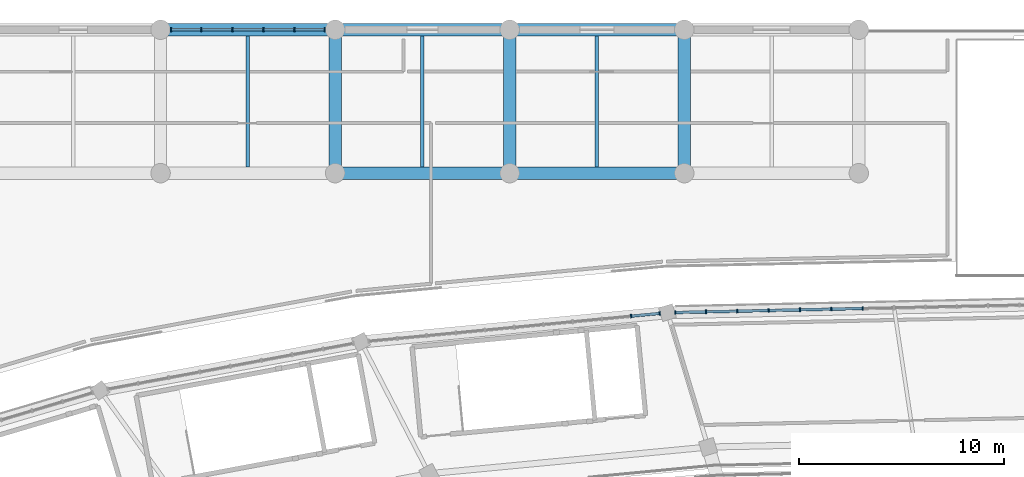
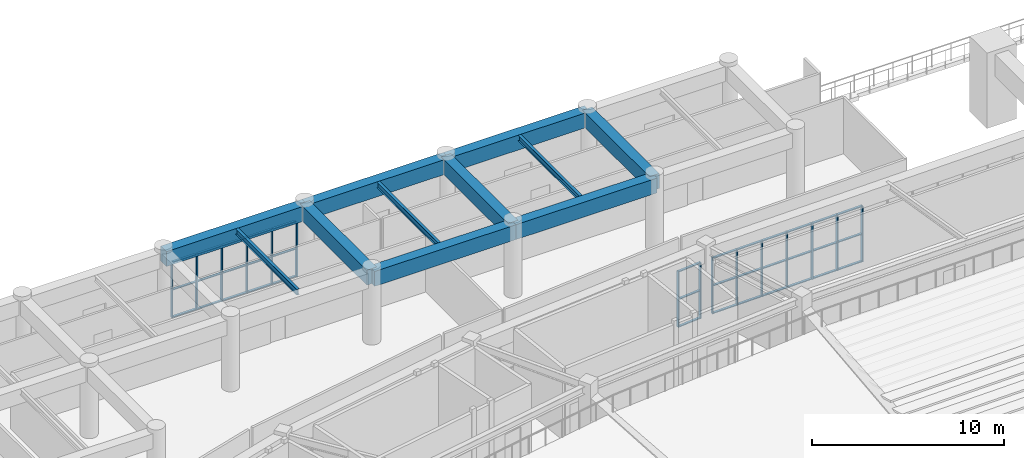
# One storey, part 61 of 137: 51 members, 11 beams, 3 elements without a shape of their own.
"""IFC4 building model written with IfcOpenShell, lengths in metres."""

from ifc_helpers import new_model, si_unit, direction, frame, origin, origin_2d, place, context, subcontext, project, spatial, rectangle, i_section, extrude, material, layer, layer_set, material_profile, profile_set, type_object, element, aggregate, save


model = new_model("IFC4")

# Units and contexts
model_context = context("Model", 3, precision=1e-05, world=origin(), true_north=direction((0.0, 1.0)))
body_context = subcontext(model_context, "Body", "Model", "MODEL_VIEW")
ifc_project = project(units=[si_unit("LENGTHUNIT", "METRE"), si_unit("AREAUNIT", "SQUARE_METRE"), si_unit("VOLUMEUNIT", "CUBIC_METRE"), si_unit("PLANEANGLEUNIT", "RADIAN"), si_unit("MASSUNIT", "GRAM", prefix="KILO")], contexts=[model_context])

# Site, building, storey
site_placement = place(None, origin())
site = spatial("IfcSite", under=ifc_project, at=site_placement, CompositionType="ELEMENT")
building_placement = place(site_placement, origin())
building = spatial("IfcBuilding", under=site, at=building_placement, Name="Mphavela Belvedere Stadium", CompositionType="ELEMENT")
storey_placement = place(building_placement, frame((0.0, 0.0, 19.199951171875)))
storey = spatial("IfcBuildingStorey", under=building, at=storey_placement, Name="L04", CompositionType="ELEMENT", Elevation=19.199951171875)

# Beams
ifc_material_1 = material(Name="Concrete C40/50", Category="concrete")
ifc_material_profile_1 = material_profile(ifc_material_1, rectangle(XDim=0.60009765625, YDim=0.949951171875, at=origin_2d()), Name="RC 600x950")
ifc_profile_set_1 = profile_set([ifc_material_profile_1], Name="Concrete C40/50")
beam_type_1 = type_object("IfcBeamType", Name="BM-ENTABLATURE-950", PredefinedType="SPANDREL", material=ifc_profile_set_1)
beam_1_placement = place(storey_placement, frame((68.14794921875, 174.0, 4.06494140625), z_axis=(1.0, 0.0, 0.0), x_axis=(0.0, 1.0, 0.0)))
element("IfcBeam", 1, at=beam_1_placement, inside=storey, type_object=beam_type_1, Name="North Mast and Ceremonial End Forecourt entablature beam X L04 9-8", PredefinedType="SPANDREL", context=body_context, shape_type="SweptSolid", body=[
    extrude(rectangle(XDim=0.60009765625, YDim=0.949951171875, at=origin_2d()), origin(), (0.0, 0.0, 1.0), 8.51904296875),
])
beam_2_placement = place(storey_placement, frame((76.6669921875, 167.0, 4.06494140625), z_axis=(1.0, 0.0, 0.0), x_axis=(0.0, 1.0, 0.0)))
element("IfcBeam", 2, at=beam_2_placement, inside=storey, type_object=beam_type_1, Name="North Mast and Ceremonial End Forecourt entablature beam X L04 10-7", PredefinedType="SPANDREL", context=body_context, shape_type="SweptSolid", body=[
    extrude(rectangle(XDim=0.60009765625, YDim=0.949951171875, at=origin_2d()), origin(), (0.0, 0.0, 1.0), 8.51806640625),
])
beam_3_placement = place(storey_placement, frame((76.6669921875, 167.0, 4.06494140625), z_axis=(0.0, 1.0, 0.0), x_axis=(-1.0, 0.0, 0.0)))
element("IfcBeam", 3, at=beam_3_placement, inside=storey, type_object=beam_type_1, Name="North Mast and Ceremonial End Forecourt entablature beam Y L04 10-7", PredefinedType="SPANDREL", context=body_context, shape_type="SweptSolid", body=[
    extrude(rectangle(XDim=0.60009765625, YDim=0.949951171875, at=origin_2d()), origin(), (0.0, 0.0, 1.0), 7.0),
])
beam_4_placement = place(storey_placement, frame((76.6669921875, 174.0, 4.06494140625), z_axis=(1.0, 0.0, 0.0), x_axis=(0.0, 1.0, 0.0)))
element("IfcBeam", 4, at=beam_4_placement, inside=storey, type_object=beam_type_1, Name="North Mast and Ceremonial End Forecourt entablature beam X L04 10-8", PredefinedType="SPANDREL", context=body_context, shape_type="SweptSolid", body=[
    extrude(rectangle(XDim=0.60009765625, YDim=0.949951171875, at=origin_2d()), origin(), (0.0, 0.0, 1.0), 8.51806640625),
])
beam_5_placement = place(storey_placement, frame((85.18505859375, 167.0, 4.06494140625), z_axis=(1.0, 0.0, 0.0), x_axis=(0.0, 1.0, 0.0)))
element("IfcBeam", 5, at=beam_5_placement, inside=storey, type_object=beam_type_1, Name="North Mast and Ceremonial End Forecourt entablature beam X L04 11-7", PredefinedType="SPANDREL", context=body_context, shape_type="SweptSolid", body=[
    extrude(rectangle(XDim=0.60009765625, YDim=0.949951171875, at=origin_2d()), origin(), (0.0, 0.0, 1.0), 8.51904296875),
])
beam_6_placement = place(storey_placement, frame((85.18505859375, 167.0, 4.06494140625), z_axis=(0.0, 1.0, 0.0), x_axis=(-1.0, 0.0, 0.0)))
element("IfcBeam", 6, at=beam_6_placement, inside=storey, type_object=beam_type_1, Name="North Mast and Ceremonial End Forecourt entablature beam Y L04 11-7", PredefinedType="SPANDREL", context=body_context, shape_type="SweptSolid", body=[
    extrude(rectangle(XDim=0.60009765625, YDim=0.949951171875, at=origin_2d()), origin(), (0.0, 0.0, 1.0), 7.0),
])
beam_7_placement = place(storey_placement, frame((85.18505859375, 174.0, 4.06494140625), z_axis=(1.0, 0.0, 0.0), x_axis=(0.0, 1.0, 0.0)))
element("IfcBeam", 7, at=beam_7_placement, inside=storey, type_object=beam_type_1, Name="North Mast and Ceremonial End Forecourt entablature beam X L04 11-8", PredefinedType="SPANDREL", context=body_context, shape_type="SweptSolid", body=[
    extrude(rectangle(XDim=0.60009765625, YDim=0.949951171875, at=origin_2d()), origin(), (0.0, 0.0, 1.0), 8.51904296875),
])
beam_8_placement = place(storey_placement, frame((93.7041015625, 167.0, 4.06494140625), z_axis=(0.0, 1.0, 0.0), x_axis=(-1.0, 0.0, 0.0)))
element("IfcBeam", 8, at=beam_8_placement, inside=storey, type_object=beam_type_1, Name="North Mast and Ceremonial End Forecourt entablature beam Y L04 12-7", PredefinedType="SPANDREL", context=body_context, shape_type="SweptSolid", body=[
    extrude(rectangle(XDim=0.60009765625, YDim=0.949951171875, at=origin_2d()), origin(), (0.0, 0.0, 1.0), 7.0),
])
ifc_material_2 = material(Name="Steel S355", Category="steel")
ifc_material_profile_2 = material_profile(ifc_material_2, i_section(OverallWidth=0.169921875, OverallDepth=0.360107421875, WebThickness=0.008056640625, FlangeThickness=0.0126953125, at=origin_2d()), Name="IPE 360")
ifc_profile_set_2 = profile_set([ifc_material_profile_2], Name="Steel S355")
beam_type_2 = type_object("IfcBeamType", Name="BM-JOIST-IPE360", PredefinedType="JOIST", material=ifc_profile_set_2)
for number, where, z_axis, x_axis, name in (
    (9, (72.407470703125, 167.300048828125, 4.360107421875), (0.0, 1.0, 0.0), (-1.0, 0.0, 0.0), "North Mast and Ceremonial End Forecourt secondary joist L04 9-7"),
    (10, (80.926025390625, 167.300048828125, 4.360107421875), (0.0, 1.0, 0.0), (-1.0, 0.0, 0.0), "North Mast and Ceremonial End Forecourt secondary joist L04 10-7"),
    (11, (89.444580078125, 167.300048828125, 4.360107421875), (0.0, 1.0, 0.0), (-1.0, 0.0, 0.0), "North Mast and Ceremonial End Forecourt secondary joist L04 11-7"),
):
    element("IfcBeam", number, at=place(storey_placement, frame(where, z_axis=z_axis, x_axis=x_axis)), inside=storey, type_object=beam_type_2, Name=name, PredefinedType="JOIST", context=body_context, shape_type="SweptSolid", body=[
        extrude(i_section(OverallWidth=0.169921875, OverallDepth=0.360107421875, WebThickness=0.008056640625, FlangeThickness=0.0126953125, at=origin_2d()), origin(), (0.0, 0.0, 1.0), 6.39990234375),
    ])

# Curtain wall, members
ifc_material_3 = material(Name="Anodised bronze unitised curtain wall framing")
ifc_layer_1 = layer(ifc_material_3, 0.18994140625)
ifc_layer_set_1 = layer_set([ifc_layer_1], Name="Anodised bronze unitised curtain wall framing")
curtain_wall_type_1 = type_object("IfcCurtainWallType", Name="CW-UNIT-03", PredefinedType="USERDEFINED", material=ifc_layer_set_1)
curtain_wall_1_placement = place(storey_placement, origin())
curtain_wall_1 = element("IfcCurtainWall", 12, at=curtain_wall_1_placement, inside=storey, type_object=curtain_wall_type_1, Name="Belvedere colonnade curtain wall L04-13", ObjectType="UNITISED CURTAIN WALL", PredefinedType="USERDEFINED")
ifc_material_4 = material(Name="Anodised bronze extruded aluminium", Category="aluminium")
ifc_material_profile_3 = material_profile(ifc_material_4, rectangle(XDim=0.179931640625, YDim=0.06494140625, at=origin_2d()), Name="CW-MUL 180x65")
ifc_profile_set_3 = profile_set([ifc_material_profile_3], Name="Anodised bronze extruded aluminium")
member_type_1 = type_object("IfcMemberType", Name="CWM-180x65", PredefinedType="MULLION", material=ifc_profile_set_3)
member_1_placement = place(storey_placement, frame((102.412841796875, 160.39892578125, 0.0), z_axis=(0.0, 0.0, 1.0), x_axis=(0.021527495473, -0.999768256617, 0.0)))
member_1 = element("IfcMember", 13, at=member_1_placement, type_object=member_type_1, Name="CW-03 mullion 9", PredefinedType="MULLION", context=body_context, shape_type="SweptSolid", body=[
    extrude(rectangle(XDim=0.179931640625, YDim=0.06494140625, at=origin_2d()), origin(), (0.0, 0.0, 1.0), 3.570068359375),
])
member_2_placement = place(storey_placement, frame((100.8828125, 160.365966796875, 0.0), z_axis=(0.0, 0.0, 1.0), x_axis=(0.021527495473, -0.999768256617, 0.0)))
member_2 = element("IfcMember", 14, at=member_2_placement, type_object=member_type_1, Name="CW-03 mullion 10", PredefinedType="MULLION", context=body_context, shape_type="SweptSolid", body=[
    extrude(rectangle(XDim=0.179931640625, YDim=0.06494140625, at=origin_2d()), origin(), (0.0, 0.0, 1.0), 3.570068359375),
])
member_3_placement = place(storey_placement, frame((99.35302734375, 160.3330078125, 0.0), z_axis=(0.0, 0.0, 1.0), x_axis=(0.021527495473, -0.999768256617, 0.0)))
member_3 = element("IfcMember", 15, at=member_3_placement, type_object=member_type_1, Name="CW-03 mullion 11", PredefinedType="MULLION", context=body_context, shape_type="SweptSolid", body=[
    extrude(rectangle(XDim=0.179931640625, YDim=0.06494140625, at=origin_2d()), origin(), (0.0, 0.0, 1.0), 3.570068359375),
])
member_4_placement = place(storey_placement, frame((97.822998046875, 160.300048828125, 0.0), z_axis=(0.0, 0.0, 1.0), x_axis=(0.021527495473, -0.999768256617, 0.0)))
member_4 = element("IfcMember", 16, at=member_4_placement, type_object=member_type_1, Name="CW-03 mullion 12", PredefinedType="MULLION", context=body_context, shape_type="SweptSolid", body=[
    extrude(rectangle(XDim=0.179931640625, YDim=0.06494140625, at=origin_2d()), origin(), (0.0, 0.0, 1.0), 3.570068359375),
])
member_5_placement = place(storey_placement, frame((96.293212890625, 160.26708984375, 0.0), z_axis=(0.0, 0.0, 1.0), x_axis=(0.021527495473, -0.999768256617, 0.0)))
member_5 = element("IfcMember", 17, at=member_5_placement, type_object=member_type_1, Name="CW-03 mullion 13", PredefinedType="MULLION", context=body_context, shape_type="SweptSolid", body=[
    extrude(rectangle(XDim=0.179931640625, YDim=0.06494140625, at=origin_2d()), origin(), (0.0, 0.0, 1.0), 3.570068359375),
])
member_6_placement = place(storey_placement, frame((94.76318359375, 160.234130859375, 0.0), z_axis=(0.0, 0.0, 1.0), x_axis=(0.021527495473, -0.999768256617, 0.0)))
member_6 = element("IfcMember", 18, at=member_6_placement, type_object=member_type_1, Name="CW-03 mullion 14", PredefinedType="MULLION", context=body_context, shape_type="SweptSolid", body=[
    extrude(rectangle(XDim=0.179931640625, YDim=0.06494140625, at=origin_2d()), origin(), (0.0, 0.0, 1.0), 3.570068359375),
])
member_7_placement = place(storey_placement, frame((93.265869140625, 160.201904296875, 0.0), z_axis=(0.0, 0.0, 1.0), x_axis=(0.021527495473, -0.999768256617, 0.0)))
member_7 = element("IfcMember", 19, at=member_7_placement, type_object=member_type_1, Name="CW-03 mullion 15", PredefinedType="MULLION", context=body_context, shape_type="SweptSolid", body=[
    extrude(rectangle(XDim=0.179931640625, YDim=0.06494140625, at=origin_2d()), origin(), (0.0, 0.0, 1.0), 3.570068359375),
])

ifc_material_5 = material(Name="Anodised bronze unitised curtain wall framing")
ifc_layer_2 = layer(ifc_material_5, 0.195068359375)
ifc_layer_set_2 = layer_set([ifc_layer_2], Name="Anodised bronze unitised curtain wall framing")
curtain_wall_type_2 = type_object("IfcCurtainWallType", Name="CW-UNIT-04", PredefinedType="USERDEFINED", material=ifc_layer_set_2)
curtain_wall_2_placement = place(storey_placement, origin())
curtain_wall_2 = element("IfcCurtainWall", 20, at=curtain_wall_2_placement, inside=storey, type_object=curtain_wall_type_2, Name="Belvedere colonnade curtain wall L04-14", ObjectType="UNITISED CURTAIN WALL", PredefinedType="USERDEFINED")
member_8_placement = place(storey_placement, frame((92.506591796875, 160.15771484375, 0.0), z_axis=(0.0, 0.0, 1.0), x_axis=(0.094932913757, -0.995483672335, 0.0)))
member_8 = element("IfcMember", 21, at=member_8_placement, type_object=member_type_1, Name="CW-04 mullion 1", PredefinedType="MULLION", context=body_context, shape_type="SweptSolid", body=[
    extrude(rectangle(XDim=0.179931640625, YDim=0.06494140625, at=origin_2d()), origin(), (0.0, 0.0, 1.0), 3.570068359375),
])
member_9_placement = place(storey_placement, frame((91.112548828125, 160.024658203125, 0.0), z_axis=(0.0, 0.0, 1.0), x_axis=(0.094932913757, -0.995483672335, 0.0)))
member_9 = element("IfcMember", 22, at=member_9_placement, type_object=member_type_1, Name="CW-04 mullion 2", PredefinedType="MULLION", context=body_context, shape_type="SweptSolid", body=[
    extrude(rectangle(XDim=0.179931640625, YDim=0.06494140625, at=origin_2d()), origin(), (0.0, 0.0, 1.0), 3.570068359375),
])

ifc_material_6 = material(Name="Anodised bronze unitised curtain wall framing")
ifc_layer_3 = layer(ifc_material_6, 0.199951171875)
ifc_layer_set_3 = layer_set([ifc_layer_3], Name="Anodised bronze unitised curtain wall framing")
curtain_wall_type_3 = type_object("IfcCurtainWallType", Name="CW-UNIT-05", PredefinedType="USERDEFINED", material=ifc_layer_set_3)
curtain_wall_3_placement = place(storey_placement, origin())
curtain_wall_3 = element("IfcCurtainWall", 23, at=curtain_wall_3_placement, inside=storey, type_object=curtain_wall_type_3, Name="North Mast and Ceremonial End Forecourt gallery curtain wall L04-09", ObjectType="UNITISED CURTAIN WALL", PredefinedType="USERDEFINED")
member_10_placement = place(storey_placement, frame((68.653564453125, 174.0, 0.0), z_axis=(0.0, 0.0, 1.0), x_axis=(0.0, 1.0, 0.0)))
member_10 = element("IfcMember", 24, at=member_10_placement, type_object=member_type_1, Name="CW-05 mullion 1", PredefinedType="MULLION", context=body_context, shape_type="SweptSolid", body=[
    extrude(rectangle(XDim=0.179931640625, YDim=0.06494140625, at=origin_2d()), origin(), (0.0, 0.0, 1.0), 3.56005859375),
])
member_11_placement = place(storey_placement, frame((70.135498046875, 174.0, 0.0), z_axis=(0.0, 0.0, 1.0), x_axis=(0.0, 1.0, 0.0)))
member_11 = element("IfcMember", 25, at=member_11_placement, type_object=member_type_1, Name="CW-05 mullion 2", PredefinedType="MULLION", context=body_context, shape_type="SweptSolid", body=[
    extrude(rectangle(XDim=0.179931640625, YDim=0.06494140625, at=origin_2d()), origin(), (0.0, 0.0, 1.0), 3.56005859375),
])
member_12_placement = place(storey_placement, frame((71.650146484375, 174.0, 0.0), z_axis=(0.0, 0.0, 1.0), x_axis=(0.0, 1.0, 0.0)))
member_12 = element("IfcMember", 26, at=member_12_placement, type_object=member_type_1, Name="CW-05 mullion 3", PredefinedType="MULLION", context=body_context, shape_type="SweptSolid", body=[
    extrude(rectangle(XDim=0.179931640625, YDim=0.06494140625, at=origin_2d()), origin(), (0.0, 0.0, 1.0), 3.56005859375),
])
member_13_placement = place(storey_placement, frame((73.164794921875, 174.0, 0.0), z_axis=(0.0, 0.0, 1.0), x_axis=(0.0, 1.0, 0.0)))
member_13 = element("IfcMember", 27, at=member_13_placement, type_object=member_type_1, Name="CW-05 mullion 4", PredefinedType="MULLION", context=body_context, shape_type="SweptSolid", body=[
    extrude(rectangle(XDim=0.179931640625, YDim=0.06494140625, at=origin_2d()), origin(), (0.0, 0.0, 1.0), 3.56005859375),
])
member_14_placement = place(storey_placement, frame((74.679443359375, 174.0, 0.0), z_axis=(0.0, 0.0, 1.0), x_axis=(0.0, 1.0, 0.0)))
member_14 = element("IfcMember", 28, at=member_14_placement, type_object=member_type_1, Name="CW-05 mullion 5", PredefinedType="MULLION", context=body_context, shape_type="SweptSolid", body=[
    extrude(rectangle(XDim=0.179931640625, YDim=0.06494140625, at=origin_2d()), origin(), (0.0, 0.0, 1.0), 3.56005859375),
])
member_15_placement = place(storey_placement, frame((76.16162109375, 174.0, 0.0), z_axis=(0.0, 0.0, 1.0), x_axis=(0.0, 1.0, 0.0)))
member_15 = element("IfcMember", 29, at=member_15_placement, type_object=member_type_1, Name="CW-05 mullion 6", PredefinedType="MULLION", context=body_context, shape_type="SweptSolid", body=[
    extrude(rectangle(XDim=0.179931640625, YDim=0.06494140625, at=origin_2d()), origin(), (0.0, 0.0, 1.0), 3.56005859375),
])

# Member
ifc_material_7 = material(Name="Anodised bronze extruded aluminium", Category="aluminium")
ifc_material_profile_4 = material_profile(ifc_material_7, rectangle(XDim=0.139892578125, YDim=0.06005859375, at=origin_2d()), Name="CW-TRN 140x60")
ifc_profile_set_4 = profile_set([ifc_material_profile_4], Name="Anodised bronze extruded aluminium")
member_type_2 = type_object("IfcMemberType", Name="CWT-140x60", PredefinedType="USERDEFINED", material=ifc_profile_set_4)
member_16_placement = place(storey_placement, frame((102.38037109375, 160.398193359375, 0.030029296875), z_axis=(-0.999769032066, -0.021491452281, 0.0), x_axis=(0.021491452281, -0.999769032066, 0.0)))
member_16 = element("IfcMember", 30, at=member_16_placement, type_object=member_type_2, Name="CW-03 transom 9.1", ObjectType="TRANSOM", PredefinedType="USERDEFINED", context=body_context, shape_type="SweptSolid", body=[
    extrude(rectangle(XDim=0.139892578125, YDim=0.06005859375, at=origin_2d()), origin(), (0.0, 0.0, 1.0), 1.46533203125),
])

member_17_placement = place(storey_placement, frame((102.38037109375, 160.398193359375, 1.78515625), z_axis=(-0.999769032066, -0.021491452281, 0.0), x_axis=(0.021491452281, -0.999769032066, 0.0)))
member_17 = element("IfcMember", 31, at=member_17_placement, type_object=member_type_2, Name="CW-03 transom 9.2", ObjectType="TRANSOM", PredefinedType="USERDEFINED", context=body_context, shape_type="SweptSolid", body=[
    extrude(rectangle(XDim=0.139892578125, YDim=0.06005859375, at=origin_2d()), origin(), (0.0, 0.0, 1.0), 1.46533203125),
])

member_18_placement = place(storey_placement, frame((102.38037109375, 160.398193359375, 3.5400390625), z_axis=(-0.999769032066, -0.021491452281, 0.0), x_axis=(0.021491452281, -0.999769032066, 0.0)))
member_18 = element("IfcMember", 32, at=member_18_placement, type_object=member_type_2, Name="CW-03 transom 9.3", ObjectType="TRANSOM", PredefinedType="USERDEFINED", context=body_context, shape_type="SweptSolid", body=[
    extrude(rectangle(XDim=0.139892578125, YDim=0.06005859375, at=origin_2d()), origin(), (0.0, 0.0, 1.0), 1.46533203125),
])

member_19_placement = place(storey_placement, frame((100.850341796875, 160.365234375, 0.030029296875), z_axis=(-0.999768955097, -0.021495032535, 0.0), x_axis=(0.021495032535, -0.999768955097, 0.0)))
member_19 = element("IfcMember", 33, at=member_19_placement, type_object=member_type_2, Name="CW-03 transom 10.1", ObjectType="TRANSOM", PredefinedType="USERDEFINED", context=body_context, shape_type="SweptSolid", body=[
    extrude(rectangle(XDim=0.139892578125, YDim=0.06005859375, at=origin_2d()), origin(), (0.0, 0.0, 1.0), 1.465087890625),
])

member_20_placement = place(storey_placement, frame((100.850341796875, 160.365234375, 1.78515625), z_axis=(-0.999768955097, -0.021495032535, 0.0), x_axis=(0.021495032535, -0.999768955097, 0.0)))
member_20 = element("IfcMember", 34, at=member_20_placement, type_object=member_type_2, Name="CW-03 transom 10.2", ObjectType="TRANSOM", PredefinedType="USERDEFINED", context=body_context, shape_type="SweptSolid", body=[
    extrude(rectangle(XDim=0.139892578125, YDim=0.06005859375, at=origin_2d()), origin(), (0.0, 0.0, 1.0), 1.465087890625),
])

member_21_placement = place(storey_placement, frame((100.850341796875, 160.365234375, 3.5400390625), z_axis=(-0.999768955097, -0.021495032535, 0.0), x_axis=(0.021495032535, -0.999768955097, 0.0)))
member_21 = element("IfcMember", 35, at=member_21_placement, type_object=member_type_2, Name="CW-03 transom 10.3", ObjectType="TRANSOM", PredefinedType="USERDEFINED", context=body_context, shape_type="SweptSolid", body=[
    extrude(rectangle(XDim=0.139892578125, YDim=0.06005859375, at=origin_2d()), origin(), (0.0, 0.0, 1.0), 1.465087890625),
])

member_22_placement = place(storey_placement, frame((99.320556640625, 160.332275390625, 0.030029296875), z_axis=(-0.999769032066, -0.021491452281, 0.0), x_axis=(0.021491452281, -0.999769032066, 0.0)))
member_22 = element("IfcMember", 36, at=member_22_placement, type_object=member_type_2, Name="CW-03 transom 11.1", ObjectType="TRANSOM", PredefinedType="USERDEFINED", context=body_context, shape_type="SweptSolid", body=[
    extrude(rectangle(XDim=0.139892578125, YDim=0.06005859375, at=origin_2d()), origin(), (0.0, 0.0, 1.0), 1.46533203125),
])

member_23_placement = place(storey_placement, frame((99.320556640625, 160.332275390625, 1.78515625), z_axis=(-0.999769032066, -0.021491452281, 0.0), x_axis=(0.021491452281, -0.999769032066, 0.0)))
member_23 = element("IfcMember", 37, at=member_23_placement, type_object=member_type_2, Name="CW-03 transom 11.2", ObjectType="TRANSOM", PredefinedType="USERDEFINED", context=body_context, shape_type="SweptSolid", body=[
    extrude(rectangle(XDim=0.139892578125, YDim=0.06005859375, at=origin_2d()), origin(), (0.0, 0.0, 1.0), 1.46533203125),
])

member_24_placement = place(storey_placement, frame((99.320556640625, 160.332275390625, 3.5400390625), z_axis=(-0.999769032066, -0.021491452281, 0.0), x_axis=(0.021491452281, -0.999769032066, 0.0)))
member_24 = element("IfcMember", 38, at=member_24_placement, type_object=member_type_2, Name="CW-03 transom 11.3", ObjectType="TRANSOM", PredefinedType="USERDEFINED", context=body_context, shape_type="SweptSolid", body=[
    extrude(rectangle(XDim=0.139892578125, YDim=0.06005859375, at=origin_2d()), origin(), (0.0, 0.0, 1.0), 1.46533203125),
])

member_25_placement = place(storey_placement, frame((97.79052734375, 160.29931640625, 0.030029296875), z_axis=(-0.999768955097, -0.021495032535, 0.0), x_axis=(0.021495032535, -0.999768955097, 0.0)))
member_25 = element("IfcMember", 39, at=member_25_placement, type_object=member_type_2, Name="CW-03 transom 12.1", ObjectType="TRANSOM", PredefinedType="USERDEFINED", context=body_context, shape_type="SweptSolid", body=[
    extrude(rectangle(XDim=0.139892578125, YDim=0.06005859375, at=origin_2d()), origin(), (0.0, 0.0, 1.0), 1.465087890625),
])

member_26_placement = place(storey_placement, frame((97.79052734375, 160.29931640625, 1.78515625), z_axis=(-0.999768955097, -0.021495032535, 0.0), x_axis=(0.021495032535, -0.999768955097, 0.0)))
member_26 = element("IfcMember", 40, at=member_26_placement, type_object=member_type_2, Name="CW-03 transom 12.2", ObjectType="TRANSOM", PredefinedType="USERDEFINED", context=body_context, shape_type="SweptSolid", body=[
    extrude(rectangle(XDim=0.139892578125, YDim=0.06005859375, at=origin_2d()), origin(), (0.0, 0.0, 1.0), 1.465087890625),
])

member_27_placement = place(storey_placement, frame((97.79052734375, 160.29931640625, 3.5400390625), z_axis=(-0.999768955097, -0.021495032535, 0.0), x_axis=(0.021495032535, -0.999768955097, 0.0)))
member_27 = element("IfcMember", 41, at=member_27_placement, type_object=member_type_2, Name="CW-03 transom 12.3", ObjectType="TRANSOM", PredefinedType="USERDEFINED", context=body_context, shape_type="SweptSolid", body=[
    extrude(rectangle(XDim=0.139892578125, YDim=0.06005859375, at=origin_2d()), origin(), (0.0, 0.0, 1.0), 1.465087890625),
])

member_28_placement = place(storey_placement, frame((96.2607421875, 160.2666015625, 0.030029296875), z_axis=(-0.999765438553, -0.02165797484, 0.0), x_axis=(0.02165797484, -0.999765438553, 0.0)))
member_28 = element("IfcMember", 42, at=member_28_placement, type_object=member_type_2, Name="CW-03 transom 13.1", ObjectType="TRANSOM", PredefinedType="USERDEFINED", context=body_context, shape_type="SweptSolid", body=[
    extrude(rectangle(XDim=0.139892578125, YDim=0.06005859375, at=origin_2d()), origin(), (0.0, 0.0, 1.0), 1.46533203125),
])

member_29_placement = place(storey_placement, frame((96.2607421875, 160.2666015625, 1.78515625), z_axis=(-0.999765438553, -0.02165797484, 0.0), x_axis=(0.02165797484, -0.999765438553, 0.0)))
member_29 = element("IfcMember", 43, at=member_29_placement, type_object=member_type_2, Name="CW-03 transom 13.2", ObjectType="TRANSOM", PredefinedType="USERDEFINED", context=body_context, shape_type="SweptSolid", body=[
    extrude(rectangle(XDim=0.139892578125, YDim=0.06005859375, at=origin_2d()), origin(), (0.0, 0.0, 1.0), 1.46533203125),
])

member_30_placement = place(storey_placement, frame((96.2607421875, 160.2666015625, 3.5400390625), z_axis=(-0.999765438553, -0.02165797484, 0.0), x_axis=(0.02165797484, -0.999765438553, 0.0)))
member_30 = element("IfcMember", 44, at=member_30_placement, type_object=member_type_2, Name="CW-03 transom 13.3", ObjectType="TRANSOM", PredefinedType="USERDEFINED", context=body_context, shape_type="SweptSolid", body=[
    extrude(rectangle(XDim=0.139892578125, YDim=0.06005859375, at=origin_2d()), origin(), (0.0, 0.0, 1.0), 1.46533203125),
])

member_31_placement = place(storey_placement, frame((94.730712890625, 160.233642578125, 0.030029296875), z_axis=(-0.999765796878, -0.021641427681, 0.0), x_axis=(0.021641427681, -0.999765796878, 0.0)))
member_31 = element("IfcMember", 45, at=member_31_placement, type_object=member_type_2, Name="CW-03 transom 14.1", ObjectType="TRANSOM", PredefinedType="USERDEFINED", context=body_context, shape_type="SweptSolid", body=[
    extrude(rectangle(XDim=0.139892578125, YDim=0.06005859375, at=origin_2d()), origin(), (0.0, 0.0, 1.0), 1.4326171875),
])

member_32_placement = place(storey_placement, frame((94.730712890625, 160.233642578125, 1.78515625), z_axis=(-0.999765796878, -0.021641427681, 0.0), x_axis=(0.021641427681, -0.999765796878, 0.0)))
member_32 = element("IfcMember", 46, at=member_32_placement, type_object=member_type_2, Name="CW-03 transom 14.2", ObjectType="TRANSOM", PredefinedType="USERDEFINED", context=body_context, shape_type="SweptSolid", body=[
    extrude(rectangle(XDim=0.139892578125, YDim=0.06005859375, at=origin_2d()), origin(), (0.0, 0.0, 1.0), 1.4326171875),
])

member_33_placement = place(storey_placement, frame((94.730712890625, 160.233642578125, 3.5400390625), z_axis=(-0.999765796878, -0.021641427681, 0.0), x_axis=(0.021641427681, -0.999765796878, 0.0)))
member_33 = element("IfcMember", 47, at=member_33_placement, type_object=member_type_2, Name="CW-03 transom 14.3", ObjectType="TRANSOM", PredefinedType="USERDEFINED", context=body_context, shape_type="SweptSolid", body=[
    extrude(rectangle(XDim=0.139892578125, YDim=0.06005859375, at=origin_2d()), origin(), (0.0, 0.0, 1.0), 1.4326171875),
])

aggregate(curtain_wall_1, [member_1, member_2, member_3, member_4, member_5, member_6, member_7, member_16, member_17, member_18, member_19, member_20, member_21, member_22, member_23, member_24, member_25, member_26, member_27, member_28, member_29, member_30, member_31, member_32, member_33])

member_34_placement = place(storey_placement, frame((92.474365234375, 160.154541015625, 0.030029296875), z_axis=(-0.995489719977, -0.094869475701, 0.0), x_axis=(0.094869475701, -0.995489719977, 0.0)))
member_34 = element("IfcMember", 48, at=member_34_placement, type_object=member_type_2, Name="CW-04 transom 1.1", ObjectType="TRANSOM", PredefinedType="USERDEFINED", context=body_context, shape_type="SweptSolid", body=[
    extrude(rectangle(XDim=0.139892578125, YDim=0.06005859375, at=origin_2d()), origin(), (0.0, 0.0, 1.0), 1.335693359375),
])

member_35_placement = place(storey_placement, frame((92.474365234375, 160.154541015625, 1.78515625), z_axis=(-0.995489719977, -0.094869475701, 0.0), x_axis=(0.094869475701, -0.995489719977, 0.0)))
member_35 = element("IfcMember", 49, at=member_35_placement, type_object=member_type_2, Name="CW-04 transom 1.2", ObjectType="TRANSOM", PredefinedType="USERDEFINED", context=body_context, shape_type="SweptSolid", body=[
    extrude(rectangle(XDim=0.139892578125, YDim=0.06005859375, at=origin_2d()), origin(), (0.0, 0.0, 1.0), 1.335693359375),
])

member_36_placement = place(storey_placement, frame((92.474365234375, 160.154541015625, 3.5400390625), z_axis=(-0.995489719977, -0.094869475701, 0.0), x_axis=(0.094869475701, -0.995489719977, 0.0)))
member_36 = element("IfcMember", 50, at=member_36_placement, type_object=member_type_2, Name="CW-04 transom 1.3", ObjectType="TRANSOM", PredefinedType="USERDEFINED", context=body_context, shape_type="SweptSolid", body=[
    extrude(rectangle(XDim=0.139892578125, YDim=0.06005859375, at=origin_2d()), origin(), (0.0, 0.0, 1.0), 1.335693359375),
])

aggregate(curtain_wall_2, [member_8, member_9, member_34, member_35, member_36])

member_37_placement = place(storey_placement, frame((68.68603515625, 174.0, 0.030029296875), z_axis=(1.0, 0.0, 0.0), x_axis=(0.0, 1.0, 0.0)))
member_37 = element("IfcMember", 51, at=member_37_placement, type_object=member_type_2, Name="CW-05 transom 1.1", ObjectType="TRANSOM", PredefinedType="USERDEFINED", context=body_context, shape_type="SweptSolid", body=[
    extrude(rectangle(XDim=0.139892578125, YDim=0.06005859375, at=origin_2d()), origin(), (0.0, 0.0, 1.0), 1.4169921875),
])

member_38_placement = place(storey_placement, frame((68.68603515625, 174.0, 1.780029296875), z_axis=(1.0, 0.0, 0.0), x_axis=(0.0, 1.0, 0.0)))
member_38 = element("IfcMember", 52, at=member_38_placement, type_object=member_type_2, Name="CW-05 transom 1.2", ObjectType="TRANSOM", PredefinedType="USERDEFINED", context=body_context, shape_type="SweptSolid", body=[
    extrude(rectangle(XDim=0.139892578125, YDim=0.06005859375, at=origin_2d()), origin(), (0.0, 0.0, 1.0), 1.4169921875),
])

member_39_placement = place(storey_placement, frame((68.68603515625, 174.0, 3.530029296875), z_axis=(1.0, 0.0, 0.0), x_axis=(0.0, 1.0, 0.0)))
member_39 = element("IfcMember", 53, at=member_39_placement, type_object=member_type_2, Name="CW-05 transom 1.3", ObjectType="TRANSOM", PredefinedType="USERDEFINED", context=body_context, shape_type="SweptSolid", body=[
    extrude(rectangle(XDim=0.139892578125, YDim=0.06005859375, at=origin_2d()), origin(), (0.0, 0.0, 1.0), 1.4169921875),
])

member_40_placement = place(storey_placement, frame((70.168212890625, 174.0, 0.030029296875), z_axis=(1.0, 0.0, 0.0), x_axis=(0.0, 1.0, 0.0)))
member_40 = element("IfcMember", 54, at=member_40_placement, type_object=member_type_2, Name="CW-05 transom 2.1", ObjectType="TRANSOM", PredefinedType="USERDEFINED", context=body_context, shape_type="SweptSolid", body=[
    extrude(rectangle(XDim=0.139892578125, YDim=0.06005859375, at=origin_2d()), origin(), (0.0, 0.0, 1.0), 1.449462890625),
])

member_41_placement = place(storey_placement, frame((70.168212890625, 174.0, 1.780029296875), z_axis=(1.0, 0.0, 0.0), x_axis=(0.0, 1.0, 0.0)))
member_41 = element("IfcMember", 55, at=member_41_placement, type_object=member_type_2, Name="CW-05 transom 2.2", ObjectType="TRANSOM", PredefinedType="USERDEFINED", context=body_context, shape_type="SweptSolid", body=[
    extrude(rectangle(XDim=0.139892578125, YDim=0.06005859375, at=origin_2d()), origin(), (0.0, 0.0, 1.0), 1.449462890625),
])

member_42_placement = place(storey_placement, frame((70.168212890625, 174.0, 3.530029296875), z_axis=(1.0, 0.0, 0.0), x_axis=(0.0, 1.0, 0.0)))
member_42 = element("IfcMember", 56, at=member_42_placement, type_object=member_type_2, Name="CW-05 transom 2.3", ObjectType="TRANSOM", PredefinedType="USERDEFINED", context=body_context, shape_type="SweptSolid", body=[
    extrude(rectangle(XDim=0.139892578125, YDim=0.06005859375, at=origin_2d()), origin(), (0.0, 0.0, 1.0), 1.449462890625),
])

member_43_placement = place(storey_placement, frame((71.6826171875, 174.0, 0.030029296875), z_axis=(1.0, 0.0, 0.0), x_axis=(0.0, 1.0, 0.0)))
member_43 = element("IfcMember", 57, at=member_43_placement, type_object=member_type_2, Name="CW-05 transom 3.1", ObjectType="TRANSOM", PredefinedType="USERDEFINED", context=body_context, shape_type="SweptSolid", body=[
    extrude(rectangle(XDim=0.139892578125, YDim=0.06005859375, at=origin_2d()), origin(), (0.0, 0.0, 1.0), 1.44970703125),
])

member_44_placement = place(storey_placement, frame((71.6826171875, 174.0, 1.780029296875), z_axis=(1.0, 0.0, 0.0), x_axis=(0.0, 1.0, 0.0)))
member_44 = element("IfcMember", 58, at=member_44_placement, type_object=member_type_2, Name="CW-05 transom 3.2", ObjectType="TRANSOM", PredefinedType="USERDEFINED", context=body_context, shape_type="SweptSolid", body=[
    extrude(rectangle(XDim=0.139892578125, YDim=0.06005859375, at=origin_2d()), origin(), (0.0, 0.0, 1.0), 1.44970703125),
])

member_45_placement = place(storey_placement, frame((71.6826171875, 174.0, 3.530029296875), z_axis=(1.0, 0.0, 0.0), x_axis=(0.0, 1.0, 0.0)))
member_45 = element("IfcMember", 59, at=member_45_placement, type_object=member_type_2, Name="CW-05 transom 3.3", ObjectType="TRANSOM", PredefinedType="USERDEFINED", context=body_context, shape_type="SweptSolid", body=[
    extrude(rectangle(XDim=0.139892578125, YDim=0.06005859375, at=origin_2d()), origin(), (0.0, 0.0, 1.0), 1.44970703125),
])

member_46_placement = place(storey_placement, frame((73.197265625, 174.0, 0.030029296875), z_axis=(1.0, 0.0, 0.0), x_axis=(0.0, 1.0, 0.0)))
member_46 = element("IfcMember", 60, at=member_46_placement, type_object=member_type_2, Name="CW-05 transom 4.1", ObjectType="TRANSOM", PredefinedType="USERDEFINED", context=body_context, shape_type="SweptSolid", body=[
    extrude(rectangle(XDim=0.139892578125, YDim=0.06005859375, at=origin_2d()), origin(), (0.0, 0.0, 1.0), 1.44970703125),
])

member_47_placement = place(storey_placement, frame((73.197265625, 174.0, 1.780029296875), z_axis=(1.0, 0.0, 0.0), x_axis=(0.0, 1.0, 0.0)))
member_47 = element("IfcMember", 61, at=member_47_placement, type_object=member_type_2, Name="CW-05 transom 4.2", ObjectType="TRANSOM", PredefinedType="USERDEFINED", context=body_context, shape_type="SweptSolid", body=[
    extrude(rectangle(XDim=0.139892578125, YDim=0.06005859375, at=origin_2d()), origin(), (0.0, 0.0, 1.0), 1.44970703125),
])

member_48_placement = place(storey_placement, frame((73.197265625, 174.0, 3.530029296875), z_axis=(1.0, 0.0, 0.0), x_axis=(0.0, 1.0, 0.0)))
member_48 = element("IfcMember", 62, at=member_48_placement, type_object=member_type_2, Name="CW-05 transom 4.3", ObjectType="TRANSOM", PredefinedType="USERDEFINED", context=body_context, shape_type="SweptSolid", body=[
    extrude(rectangle(XDim=0.139892578125, YDim=0.06005859375, at=origin_2d()), origin(), (0.0, 0.0, 1.0), 1.44970703125),
])

member_49_placement = place(storey_placement, frame((74.7119140625, 174.0, 0.030029296875), z_axis=(1.0, 0.0, 0.0), x_axis=(0.0, 1.0, 0.0)))
member_49 = element("IfcMember", 63, at=member_49_placement, type_object=member_type_2, Name="CW-05 transom 5.1", ObjectType="TRANSOM", PredefinedType="USERDEFINED", context=body_context, shape_type="SweptSolid", body=[
    extrude(rectangle(XDim=0.139892578125, YDim=0.06005859375, at=origin_2d()), origin(), (0.0, 0.0, 1.0), 1.4169921875),
])

member_50_placement = place(storey_placement, frame((74.7119140625, 174.0, 1.780029296875), z_axis=(1.0, 0.0, 0.0), x_axis=(0.0, 1.0, 0.0)))
member_50 = element("IfcMember", 64, at=member_50_placement, type_object=member_type_2, Name="CW-05 transom 5.2", ObjectType="TRANSOM", PredefinedType="USERDEFINED", context=body_context, shape_type="SweptSolid", body=[
    extrude(rectangle(XDim=0.139892578125, YDim=0.06005859375, at=origin_2d()), origin(), (0.0, 0.0, 1.0), 1.4169921875),
])

member_51_placement = place(storey_placement, frame((74.7119140625, 174.0, 3.530029296875), z_axis=(1.0, 0.0, 0.0), x_axis=(0.0, 1.0, 0.0)))
member_51 = element("IfcMember", 65, at=member_51_placement, type_object=member_type_2, Name="CW-05 transom 5.3", ObjectType="TRANSOM", PredefinedType="USERDEFINED", context=body_context, shape_type="SweptSolid", body=[
    extrude(rectangle(XDim=0.139892578125, YDim=0.06005859375, at=origin_2d()), origin(), (0.0, 0.0, 1.0), 1.4169921875),
])

aggregate(curtain_wall_3, [member_10, member_11, member_12, member_13, member_14, member_15, member_37, member_38, member_39, member_40, member_41, member_42, member_43, member_44, member_45, member_46, member_47, member_48, member_49, member_50, member_51])

save(model, "model.ifc")
